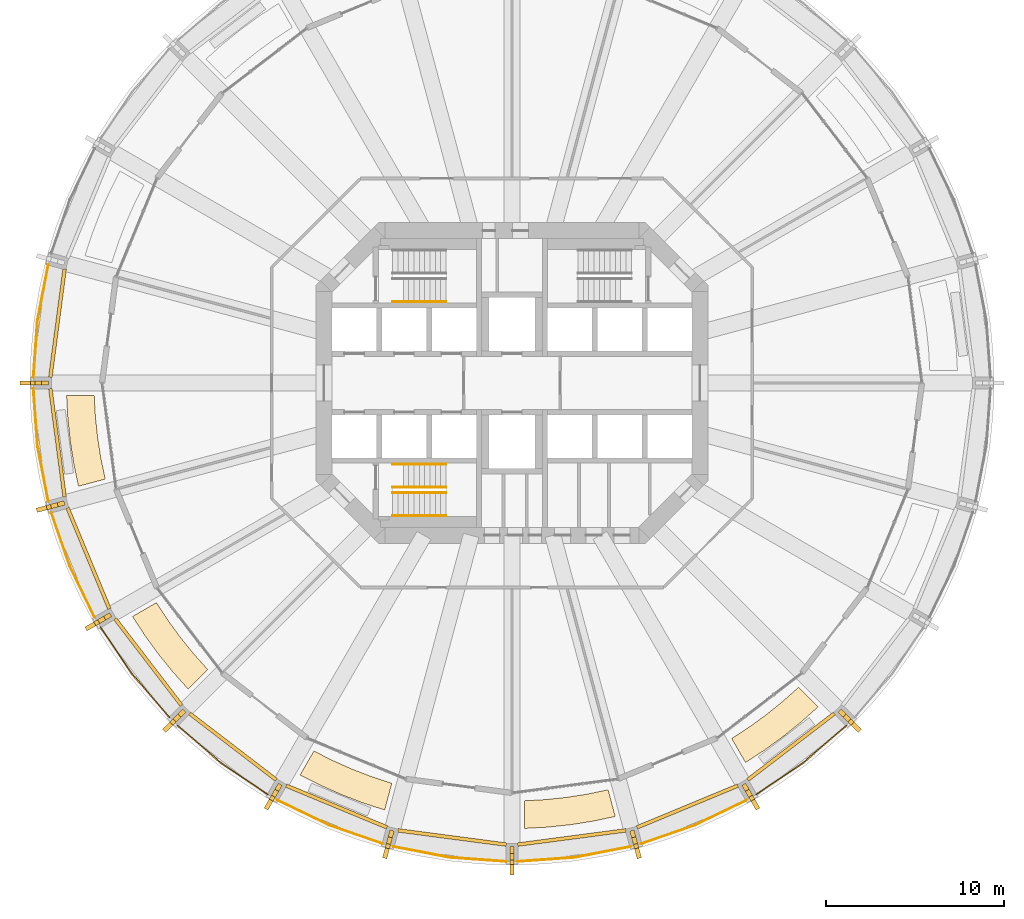
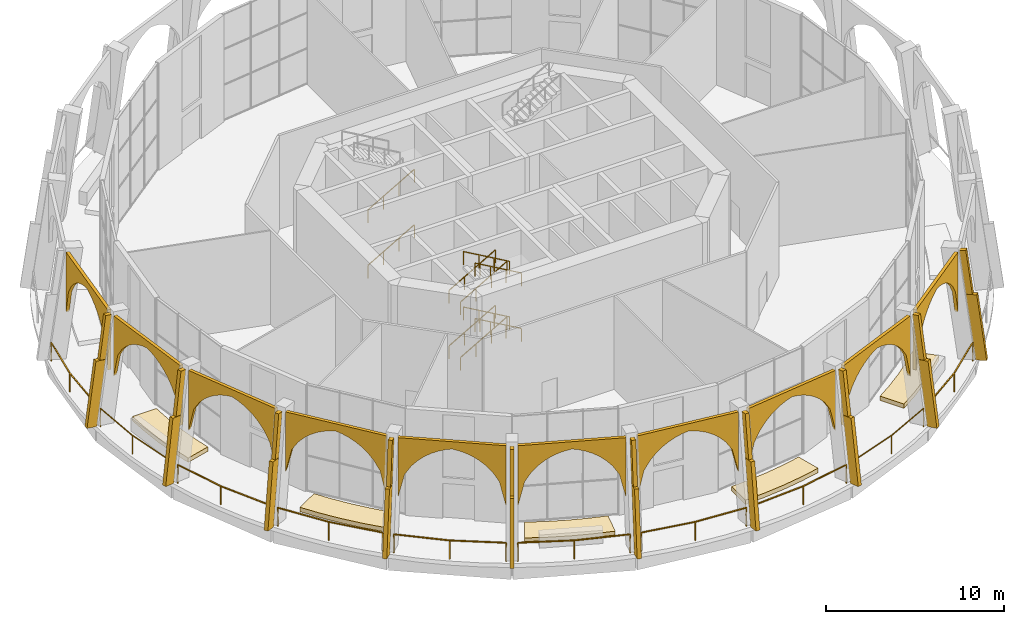
# One storey, part 17 of 19: 35 coverings, 20 railings.
"""IFC4 building model written with IfcOpenShell, lengths in metres."""

from ifc_helpers import new_model, si_unit, direction, frame, origin, origin_2d, place, context, subcontext, project, spatial, polyline, rectangle, outline, extrude, material, layer, layer_set, material_profile, profile_set, type_object, element, save


model = new_model("IFC4")

# Units and contexts
model_context = context("Model", 3, precision=1e-05, world=origin(), true_north=direction((0.0, 1.0)))
body_context = subcontext(model_context, "Body", "Model", "MODEL_VIEW")
ifc_project = project(units=[si_unit("LENGTHUNIT", "METRE"), si_unit("AREAUNIT", "SQUARE_METRE"), si_unit("VOLUMEUNIT", "CUBIC_METRE"), si_unit("PLANEANGLEUNIT", "RADIAN"), si_unit("MASSUNIT", "GRAM", prefix="KILO")], contexts=[model_context])

# Site, building, storey
site_placement = place(None, origin())
site = spatial("IfcSite", under=ifc_project, at=site_placement, CompositionType="ELEMENT")
building_placement = place(site_placement, origin())
building = spatial("IfcBuilding", under=site, at=building_placement, Name="Torre Triforio", CompositionType="ELEMENT")
storey_placement = place(building_placement, frame((0.0, 0.0, 79.0)))
storey = spatial("IfcBuildingStorey", under=building, at=storey_placement, Name="L17", CompositionType="ELEMENT", Elevation=79.0)

# Railings
ifc_material_1 = material(Name="Stainless steel AISI 316", Category="steel")
railing_type_1 = type_object("IfcRailingType", Name="HANDRAIL 920", PredefinedType="HANDRAIL", material=ifc_material_1)
for number, where, name in (
    (1, (-6.699951171875, 4.550048828125, 0.172607421875), "Handrail ST1"),
    (2, (-6.699951171875, 4.550048828125, 3.97265625), "Handrail ST1"),
    (3, (-6.699951171875, -4.550048828125, 0.172607421875), "Handrail ST3"),
    (4, (-6.699951171875, -5.85009765625, 0.172607421875), "Handrail ST3"),
):
    element("IfcRailing", number, at=place(storey_placement, frame(where)), inside=storey, type_object=railing_type_1, Name=name, PredefinedType="HANDRAIL", context=body_context, shape_type="SweptSolid", body=[
        extrude(rectangle(XDim=0.048095703125, YDim=0.048095703125, at=origin_2d()), frame((0.0, 0.0, 0.89599609375), z_axis=(0.866619684472, 0.0, 0.498969260062), x_axis=(0.0, 1.0, 0.0)), (0.0, 0.0, 1.0), 3.461669921875),
        extrude(rectangle(XDim=0.0419921875, YDim=0.0419921875, at=origin_2d()), origin(), (0.0, 0.0, 1.0), 0.871826171875),
        extrude(rectangle(XDim=0.0419921875, YDim=0.0419921875, at=origin_2d()), frame((1.0, 0.0, 0.57568359375)), (0.0, 0.0, 1.0), 0.871826171875),
        extrude(rectangle(XDim=0.0419921875, YDim=0.0419921875, at=origin_2d()), frame((2.0, 0.0, 1.151611328125)), (0.0, 0.0, 1.0), 0.871826171875),
        extrude(rectangle(XDim=0.0419921875, YDim=0.0419921875, at=origin_2d()), frame((3.0, 0.0, 1.727294921875)), (0.0, 0.0, 1.0), 0.871826171875),
    ])
for number, where, name in (
    (5, (-3.699951171875, -7.449951171875, 2.07275390625), "Handrail ST3"),
    (6, (-3.699951171875, -6.14990234375, 2.07275390625), "Handrail ST3"),
):
    element("IfcRailing", number, at=place(storey_placement, frame(where)), inside=storey, type_object=railing_type_1, Name=name, PredefinedType="HANDRAIL", context=body_context, shape_type="SweptSolid", body=[
        extrude(rectangle(XDim=0.048095703125, YDim=0.048095703125, at=origin_2d()), frame((0.0, 0.0, 0.89599609375), z_axis=(-0.866619684472, 0.0, 0.498969260062), x_axis=(0.0, -1.0, 0.0)), (0.0, 0.0, 1.0), 3.461669921875),
        extrude(rectangle(XDim=0.0419921875, YDim=0.0419921875, at=origin_2d()), origin(), (0.0, 0.0, 1.0), 0.871826171875),
        extrude(rectangle(XDim=0.0419921875, YDim=0.0419921875, at=origin_2d()), frame((-1.0, 0.0, 0.57568359375)), (0.0, 0.0, 1.0), 0.871826171875),
        extrude(rectangle(XDim=0.0419921875, YDim=0.0419921875, at=origin_2d()), frame((-2.0, 0.0, 1.151611328125)), (0.0, 0.0, 1.0), 0.871826171875),
        extrude(rectangle(XDim=0.0419921875, YDim=0.0419921875, at=origin_2d()), frame((-3.0, 0.0, 1.727294921875)), (0.0, 0.0, 1.0), 0.871826171875),
    ])
for number, where, name in (
    (7, (-6.699951171875, -4.550048828125, 3.97265625), "Handrail ST3"),
    (8, (-6.699951171875, -5.85009765625, 3.97265625), "Handrail ST3"),
):
    element("IfcRailing", number, at=place(storey_placement, frame(where)), inside=storey, type_object=railing_type_1, Name=name, PredefinedType="HANDRAIL", context=body_context, shape_type="SweptSolid", body=[
        extrude(rectangle(XDim=0.048095703125, YDim=0.048095703125, at=origin_2d()), frame((0.0, 0.0, 0.89599609375), z_axis=(0.866619684472, 0.0, 0.498969260062), x_axis=(0.0, 1.0, 0.0)), (0.0, 0.0, 1.0), 3.461669921875),
        extrude(rectangle(XDim=0.0419921875, YDim=0.0419921875, at=origin_2d()), origin(), (0.0, 0.0, 1.0), 0.871826171875),
        extrude(rectangle(XDim=0.0419921875, YDim=0.0419921875, at=origin_2d()), frame((1.0, 0.0, 0.57568359375)), (0.0, 0.0, 1.0), 0.871826171875),
        extrude(rectangle(XDim=0.0419921875, YDim=0.0419921875, at=origin_2d()), frame((2.0, 0.0, 1.151611328125)), (0.0, 0.0, 1.0), 0.871826171875),
        extrude(rectangle(XDim=0.0419921875, YDim=0.0419921875, at=origin_2d()), frame((3.0, 0.0, 1.727294921875)), (0.0, 0.0, 1.0), 0.871826171875),
    ])
for number, where, name in (
    (9, (-3.699951171875, -7.449951171875, 5.872802734375), "Handrail ST3"),
    (10, (-3.699951171875, -6.14990234375, 5.872802734375), "Handrail ST3"),
):
    element("IfcRailing", number, at=place(storey_placement, frame(where)), inside=storey, type_object=railing_type_1, Name=name, PredefinedType="HANDRAIL", context=body_context, shape_type="SweptSolid", body=[
        extrude(rectangle(XDim=0.048095703125, YDim=0.048095703125, at=origin_2d()), frame((0.0, 0.0, 0.89599609375), z_axis=(-0.866619684472, 0.0, 0.498969260062), x_axis=(0.0, -1.0, 0.0)), (0.0, 0.0, 1.0), 3.461669921875),
        extrude(rectangle(XDim=0.0419921875, YDim=0.0419921875, at=origin_2d()), origin(), (0.0, 0.0, 1.0), 0.871826171875),
        extrude(rectangle(XDim=0.0419921875, YDim=0.0419921875, at=origin_2d()), frame((-1.0, 0.0, 0.57568359375)), (0.0, 0.0, 1.0), 0.871826171875),
        extrude(rectangle(XDim=0.0419921875, YDim=0.0419921875, at=origin_2d()), frame((-2.0, 0.0, 1.151611328125)), (0.0, 0.0, 1.0), 0.871826171875),
        extrude(rectangle(XDim=0.0419921875, YDim=0.0419921875, at=origin_2d()), frame((-3.0, 0.0, 1.727294921875)), (0.0, 0.0, 1.0), 0.871826171875),
    ])

# Coverings
ifc_material_2 = material(Name="Limestone arch panel", Category="masonry")
ifc_layer_1 = layer(ifc_material_2, 0.199951171875)
ifc_layer_set_1 = layer_set([ifc_layer_1], Name="Limestone arch panel")
covering_type_1 = type_object("IfcCoveringType", Name="Lancet arch cladding panel 200", PredefinedType="CLADDING", material=ifc_layer_set_1)
for number, where, z_axis, x_axis, name in (
    (11, (-25.40087890625, 3.343994140625, 0.0), (-0.991450144272, 0.130486058348, 0.0), (-0.130486058348, -0.991450144272, 0.0), "Lancet arch panel L17 bay 12"),
    (12, (-25.40087890625, -3.343994140625, 0.0), (-0.991450144272, -0.130486058348, 0.0), (0.130486058348, -0.991450144272, 0.0), "Lancet arch panel L17 bay 13"),
    (13, (-23.669921875, -9.804443359375, 0.0), (-0.923689456732, -0.383141993942, 0.0), (0.383141993942, -0.923689456732, 0.0), "Lancet arch panel L17 bay 14"),
):
    element("IfcCovering", number, at=place(storey_placement, frame(where, z_axis=z_axis, x_axis=x_axis)), inside=storey, type_object=covering_type_1, Name=name, PredefinedType="CLADDING", context=body_context, shape_type="SweptSolid", body=[
        extrude(outline(polyline([(-3.0634765625, 7.320068359375), (-3.0634765625, 3.205078125), (-2.680419921875, 4.836181640625), (-2.297607421875, 5.447021484375), (-1.91455078125, 5.86962890625), (-1.53173828125, 6.18505859375), (-1.148681640625, 6.4248046875), (-0.765869140625, 6.605224609375), (-0.3828125, 6.735107421875), (0.0, 6.820068359375), (0.3828125, 6.735107421875), (0.765869140625, 6.605224609375), (1.148681640625, 6.4248046875), (1.53173828125, 6.18505859375), (1.91455078125, 5.86962890625), (2.297607421875, 5.447021484375), (2.680419921875, 4.836181640625), (3.0634765625, 3.205078125), (3.0634765625, 7.320068359375), (-3.0634765625, 7.320068359375)])), origin(), (0.0, 0.0, 1.0), 0.2001953125),
    ])
for number, where, z_axis, x_axis, name in (
    (14, (-20.325927734375, -15.5966796875, 0.0), (-0.793802879778, -0.60817512943, 0.0), (0.60817512943, -0.793802879778, 0.0), "Lancet arch panel L17 bay 15"),
    (15, (-15.5966796875, -20.325927734375, 0.0), (-0.60817512943, -0.793802879778, 0.0), (0.793802879778, -0.60817512943, 0.0), "Lancet arch panel L17 bay 16"),
):
    element("IfcCovering", number, at=place(storey_placement, frame(where, z_axis=z_axis, x_axis=x_axis)), inside=storey, type_object=covering_type_1, Name=name, PredefinedType="CLADDING", context=body_context, shape_type="SweptSolid", body=[
        extrude(outline(polyline([(-3.0634765625, 7.320068359375), (-3.0634765625, 3.205078125), (-2.680419921875, 4.836181640625), (-2.297607421875, 5.447021484375), (-1.91455078125, 5.86962890625), (-1.53173828125, 6.18505859375), (-1.148681640625, 6.4248046875), (-0.765869140625, 6.605224609375), (-0.3828125, 6.735107421875), (0.0, 6.820068359375), (0.3828125, 6.735107421875), (0.765869140625, 6.605224609375), (1.148681640625, 6.4248046875), (1.53173828125, 6.18505859375), (1.91455078125, 5.86962890625), (2.297607421875, 5.447021484375), (2.680419921875, 4.836181640625), (3.0634765625, 3.205078125), (3.0634765625, 7.320068359375), (-3.0634765625, 7.320068359375)])), origin(), (0.0, 0.0, 1.0), 0.199951171875),
    ])
for number, where, z_axis, x_axis, name in (
    (16, (-9.804443359375, -23.669921875, 0.0), (-0.383141993942, -0.923689456732, 0.0), (0.923689456732, -0.383141993942, 0.0), "Lancet arch panel L17 bay 17"),
    (17, (-3.343994140625, -25.40087890625, 0.0), (-0.130486058348, -0.991450144272, 0.0), (0.991450144272, -0.130486058348, 0.0), "Lancet arch panel L17 bay 18"),
    (18, (3.343994140625, -25.40087890625, 0.0), (0.130486058348, -0.991450144272, 0.0), (0.991450144272, 0.130486058348, 0.0), "Lancet arch panel L17 bay 19"),
    (19, (9.804443359375, -23.669921875, 0.0), (0.383141993942, -0.923689456732, 0.0), (0.923689456732, 0.383141993942, 0.0), "Lancet arch panel L17 bay 20"),
):
    element("IfcCovering", number, at=place(storey_placement, frame(where, z_axis=z_axis, x_axis=x_axis)), inside=storey, type_object=covering_type_1, Name=name, PredefinedType="CLADDING", context=body_context, shape_type="SweptSolid", body=[
        extrude(outline(polyline([(-3.0634765625, 7.320068359375), (-3.0634765625, 3.205078125), (-2.680419921875, 4.836181640625), (-2.297607421875, 5.447021484375), (-1.91455078125, 5.86962890625), (-1.53173828125, 6.18505859375), (-1.148681640625, 6.4248046875), (-0.765869140625, 6.605224609375), (-0.3828125, 6.735107421875), (0.0, 6.820068359375), (0.3828125, 6.735107421875), (0.765869140625, 6.605224609375), (1.148681640625, 6.4248046875), (1.53173828125, 6.18505859375), (1.91455078125, 5.86962890625), (2.297607421875, 5.447021484375), (2.680419921875, 4.836181640625), (3.0634765625, 3.205078125), (3.0634765625, 7.320068359375), (-3.0634765625, 7.320068359375)])), origin(), (0.0, 0.0, 1.0), 0.2001953125),
    ])
covering_1_placement = place(storey_placement, frame((15.5966796875, -20.325927734375, 0.0), z_axis=(0.60817512943, -0.793802879778, 0.0), x_axis=(0.793802879778, 0.60817512943, 0.0)))
element("IfcCovering", 20, at=covering_1_placement, inside=storey, type_object=covering_type_1, Name="Lancet arch panel L17 bay 21", PredefinedType="CLADDING", context=body_context, shape_type="SweptSolid", body=[
    extrude(outline(polyline([(-3.0634765625, 7.320068359375), (-3.0634765625, 3.205078125), (-2.680419921875, 4.836181640625), (-2.297607421875, 5.447021484375), (-1.91455078125, 5.86962890625), (-1.53173828125, 6.18505859375), (-1.148681640625, 6.4248046875), (-0.765869140625, 6.605224609375), (-0.3828125, 6.735107421875), (0.0, 6.820068359375), (0.3828125, 6.735107421875), (0.765869140625, 6.605224609375), (1.148681640625, 6.4248046875), (1.53173828125, 6.18505859375), (1.91455078125, 5.86962890625), (2.297607421875, 5.447021484375), (2.680419921875, 4.836181640625), (3.0634765625, 3.205078125), (3.0634765625, 7.320068359375), (-3.0634765625, 7.320068359375)])), origin(), (0.0, 0.0, 1.0), 0.199951171875),
])

# Railings
railing_type_2 = type_object("IfcRailingType", Name="Loggia guard 1300", PredefinedType="GUARDRAIL", material=ifc_material_1)
railing_1_placement = place(storey_placement, frame((-26.017822265625, 6.64013671875, 0.0)))
element("IfcRailing", 21, at=railing_1_placement, inside=storey, type_object=railing_type_2, Name="Loggia guard L17 bay 12", PredefinedType="GUARDRAIL", context=body_context, shape_type="SweptSolid", body=[
    extrude(rectangle(XDim=0.050048828125, YDim=0.050048828125, at=origin_2d()), frame((0.0, 0.0, 1.27490234375), z_axis=(-0.188714097365, -0.982032071501, 0.0), x_axis=(0.982032071501, -0.188714097365, 0.0)), (0.0, 0.0, 1.0), 3.19287109375),
    extrude(rectangle(XDim=0.050048828125, YDim=0.050048828125, at=origin_2d()), frame((-0.6025390625, -3.135498046875, 1.27490234375), z_axis=(-0.071953458998, -0.997407990613, 0.0), x_axis=(0.997407990613, -0.071953458998, 0.0)), (0.0, 0.0, 1.0), 3.19287109375),
    extrude(rectangle(XDim=0.0400390625, YDim=0.0400390625, at=origin_2d()), origin(), (0.0, 0.0, 1.0), 1.25),
    extrude(rectangle(XDim=0.0400390625, YDim=0.0400390625, at=origin_2d()), frame((-0.6025390625, -3.135498046875, 0.0)), (0.0, 0.0, 1.0), 1.25),
    extrude(rectangle(XDim=0.0400390625, YDim=0.0400390625, at=origin_2d()), frame((-0.832275390625, -6.320068359375, 0.0)), (0.0, 0.0, 1.0), 1.25),
])
railing_2_placement = place(storey_placement, frame((-26.85009765625, -0.320068359375, 0.0)))
element("IfcRailing", 22, at=railing_2_placement, inside=storey, type_object=railing_type_2, Name="Loggia guard L17 bay 13", PredefinedType="GUARDRAIL", context=body_context, shape_type="SweptSolid", body=[
    extrude(rectangle(XDim=0.050048828125, YDim=0.050048828125, at=origin_2d()), frame((0.0, 0.0, 1.27490234375), z_axis=(0.071953458998, -0.997407990613, 0.0), x_axis=(0.997407990613, 0.071953458998, 0.0)), (0.0, 0.0, 1.0), 3.19287109375),
    extrude(rectangle(XDim=0.050048828125, YDim=0.050048828125, at=origin_2d()), frame((0.229736328125, -3.1845703125, 1.27490234375), z_axis=(0.188714097365, -0.982032071501, 0.0), x_axis=(0.982032071501, 0.188714097365, 0.0)), (0.0, 0.0, 1.0), 3.19287109375),
    extrude(rectangle(XDim=0.0400390625, YDim=0.0400390625, at=origin_2d()), origin(), (0.0, 0.0, 1.0), 1.25),
    extrude(rectangle(XDim=0.0400390625, YDim=0.0400390625, at=origin_2d()), frame((0.229736328125, -3.1845703125, 0.0)), (0.0, 0.0, 1.0), 1.25),
    extrude(rectangle(XDim=0.0400390625, YDim=0.0400390625, at=origin_2d()), frame((0.832275390625, -6.320068359375, 0.0)), (0.0, 0.0, 1.0), 1.25),
])
railing_3_placement = place(storey_placement, frame((-25.852294921875, -7.25830078125, 0.0)))
element("IfcRailing", 23, at=railing_3_placement, inside=storey, type_object=railing_type_2, Name="Loggia guard L17 bay 14", PredefinedType="GUARDRAIL", context=body_context, shape_type="SweptSolid", body=[
    extrude(rectangle(XDim=0.050048828125, YDim=0.050048828125, at=origin_2d()), frame((0.0, 0.0, 1.27490234375), z_axis=(0.327627852034, -0.94480685358, 0.0), x_axis=(0.94480685358, 0.327627852034, 0.0)), (0.0, 0.0, 1.0), 3.193115234375),
    extrude(rectangle(XDim=0.050048828125, YDim=0.050048828125, at=origin_2d()), frame((1.046142578125, -3.016845703125, 1.27490234375), z_axis=(0.436384192305, -0.899760432952, 0.0), x_axis=(0.899760432952, 0.436384192305, 0.0)), (0.0, 0.0, 1.0), 3.19287109375),
    extrude(rectangle(XDim=0.0400390625, YDim=0.0400390625, at=origin_2d()), origin(), (0.0, 0.0, 1.0), 1.25),
    extrude(rectangle(XDim=0.0400390625, YDim=0.0400390625, at=origin_2d()), frame((1.046142578125, -3.016845703125, 0.0)), (0.0, 0.0, 1.0), 1.25),
    extrude(rectangle(XDim=0.0400390625, YDim=0.0400390625, at=origin_2d()), frame((2.439453125, -5.8896484375, 0.0)), (0.0, 0.0, 1.0), 1.25),
])
railing_4_placement = place(storey_placement, frame((-23.0927734375, -13.7021484375, 0.0)))
element("IfcRailing", 24, at=railing_4_placement, inside=storey, type_object=railing_type_2, Name="Loggia guard L17 bay 15", PredefinedType="GUARDRAIL", context=body_context, shape_type="SweptSolid", body=[
    extrude(rectangle(XDim=0.050048828125, YDim=0.050048828125, at=origin_2d()), frame((0.0, 0.0, 1.27490234375), z_axis=(0.561018896338, -0.82780299465, 0.0), x_axis=(0.82780299465, 0.561018896338, 0.0)), (0.0, 0.0, 1.0), 3.19287109375),
    extrude(rectangle(XDim=0.050048828125, YDim=0.050048828125, at=origin_2d()), frame((1.791259765625, -2.64306640625, 1.27490234375), z_axis=(0.654385993255, -0.756160678581, 0.0), x_axis=(0.756160678581, 0.654385993255, 0.0)), (0.0, 0.0, 1.0), 3.19287109375),
    extrude(rectangle(XDim=0.0400390625, YDim=0.0400390625, at=origin_2d()), origin(), (0.0, 0.0, 1.0), 1.25),
    extrude(rectangle(XDim=0.0400390625, YDim=0.0400390625, at=origin_2d()), frame((1.791259765625, -2.64306640625, 0.0)), (0.0, 0.0, 1.0), 1.25),
    extrude(rectangle(XDim=0.0400390625, YDim=0.0400390625, at=origin_2d()), frame((3.880615234375, -5.057373046875, 0.0)), (0.0, 0.0, 1.0), 1.25),
])
railing_5_placement = place(storey_placement, frame((-18.759521484375, -19.212158203125, 0.0)))
element("IfcRailing", 25, at=railing_5_placement, inside=storey, type_object=railing_type_2, Name="Loggia guard L17 bay 16", PredefinedType="GUARDRAIL", context=body_context, shape_type="SweptSolid", body=[
    extrude(rectangle(XDim=0.050048828125, YDim=0.050048828125, at=origin_2d()), frame((0.0, 0.0, 1.27490234375), z_axis=(0.756160678581, -0.654385993255, 0.0), x_axis=(0.654385993255, 0.756160678581, 0.0)), (0.0, 0.0, 1.0), 3.19287109375),
    extrude(rectangle(XDim=0.050048828125, YDim=0.050048828125, at=origin_2d()), frame((2.414306640625, -2.08935546875, 1.27490234375), z_axis=(0.82780299465, -0.561018896338, 0.0), x_axis=(0.561018896338, 0.82780299465, 0.0)), (0.0, 0.0, 1.0), 3.19287109375),
    extrude(rectangle(XDim=0.0400390625, YDim=0.0400390625, at=origin_2d()), origin(), (0.0, 0.0, 1.0), 1.25),
    extrude(rectangle(XDim=0.0400390625, YDim=0.0400390625, at=origin_2d()), frame((2.414306640625, -2.08935546875, 0.0)), (0.0, 0.0, 1.0), 1.25),
    extrude(rectangle(XDim=0.0400390625, YDim=0.0400390625, at=origin_2d()), frame((5.057373046875, -3.880615234375, 0.0)), (0.0, 0.0, 1.0), 1.25),
])
railing_6_placement = place(storey_placement, frame((-13.14794921875, -23.412841796875, 0.0)))
element("IfcRailing", 26, at=railing_6_placement, inside=storey, type_object=railing_type_2, Name="Loggia guard L17 bay 17", PredefinedType="GUARDRAIL", context=body_context, shape_type="SweptSolid", body=[
    extrude(rectangle(XDim=0.050048828125, YDim=0.050048828125, at=origin_2d()), frame((0.0, 0.0, 1.27490234375), z_axis=(0.899760432952, -0.436384192305, 0.0), x_axis=(0.436384192305, 0.899760432952, 0.0)), (0.0, 0.0, 1.0), 3.19287109375),
    extrude(rectangle(XDim=0.050048828125, YDim=0.050048828125, at=origin_2d()), frame((2.872802734375, -1.393310546875, 1.27490234375), z_axis=(0.94480685358, -0.327627852034, 0.0), x_axis=(0.327627852034, 0.94480685358, 0.0)), (0.0, 0.0, 1.0), 3.193115234375),
    extrude(rectangle(XDim=0.0400390625, YDim=0.0400390625, at=origin_2d()), origin(), (0.0, 0.0, 1.0), 1.25),
    extrude(rectangle(XDim=0.0400390625, YDim=0.0400390625, at=origin_2d()), frame((2.872802734375, -1.393310546875, 0.0)), (0.0, 0.0, 1.0), 1.25),
    extrude(rectangle(XDim=0.0400390625, YDim=0.0400390625, at=origin_2d()), frame((5.8896484375, -2.439453125, 0.0)), (0.0, 0.0, 1.0), 1.25),
])
railing_7_placement = place(storey_placement, frame((-6.64013671875, -26.017822265625, 0.0)))
element("IfcRailing", 27, at=railing_7_placement, inside=storey, type_object=railing_type_2, Name="Loggia guard L17 bay 18", PredefinedType="GUARDRAIL", context=body_context, shape_type="SweptSolid", body=[
    extrude(rectangle(XDim=0.050048828125, YDim=0.050048828125, at=origin_2d()), frame((0.0, 0.0, 1.27490234375), z_axis=(0.982032071501, -0.188714097365, 0.0), x_axis=(0.188714097365, 0.982032071501, 0.0)), (0.0, 0.0, 1.0), 3.19287109375),
    extrude(rectangle(XDim=0.050048828125, YDim=0.050048828125, at=origin_2d()), frame((3.135498046875, -0.6025390625, 1.27490234375), z_axis=(0.997407990613, -0.071953458998, 0.0), x_axis=(0.071953458998, 0.997407990613, 0.0)), (0.0, 0.0, 1.0), 3.19287109375),
    extrude(rectangle(XDim=0.0400390625, YDim=0.0400390625, at=origin_2d()), origin(), (0.0, 0.0, 1.0), 1.25),
    extrude(rectangle(XDim=0.0400390625, YDim=0.0400390625, at=origin_2d()), frame((3.135498046875, -0.6025390625, 0.0)), (0.0, 0.0, 1.0), 1.25),
    extrude(rectangle(XDim=0.0400390625, YDim=0.0400390625, at=origin_2d()), frame((6.320068359375, -0.832275390625, 0.0)), (0.0, 0.0, 1.0), 1.25),
])
railing_8_placement = place(storey_placement, frame((0.320068359375, -26.85009765625, 0.0)))
element("IfcRailing", 28, at=railing_8_placement, inside=storey, type_object=railing_type_2, Name="Loggia guard L17 bay 19", PredefinedType="GUARDRAIL", context=body_context, shape_type="SweptSolid", body=[
    extrude(rectangle(XDim=0.050048828125, YDim=0.050048828125, at=origin_2d()), frame((0.0, 0.0, 1.27490234375), z_axis=(0.997407990613, 0.071953458998, 0.0), x_axis=(-0.071953458998, 0.997407990613, 0.0)), (0.0, 0.0, 1.0), 3.19287109375),
    extrude(rectangle(XDim=0.050048828125, YDim=0.050048828125, at=origin_2d()), frame((3.1845703125, 0.229736328125, 1.27490234375), z_axis=(0.982032071501, 0.188714097365, 0.0), x_axis=(-0.188714097365, 0.982032071501, 0.0)), (0.0, 0.0, 1.0), 3.19287109375),
    extrude(rectangle(XDim=0.0400390625, YDim=0.0400390625, at=origin_2d()), origin(), (0.0, 0.0, 1.0), 1.25),
    extrude(rectangle(XDim=0.0400390625, YDim=0.0400390625, at=origin_2d()), frame((3.1845703125, 0.229736328125, 0.0)), (0.0, 0.0, 1.0), 1.25),
    extrude(rectangle(XDim=0.0400390625, YDim=0.0400390625, at=origin_2d()), frame((6.320068359375, 0.832275390625, 0.0)), (0.0, 0.0, 1.0), 1.25),
])
railing_9_placement = place(storey_placement, frame((7.25830078125, -25.852294921875, 0.0)))
element("IfcRailing", 29, at=railing_9_placement, inside=storey, type_object=railing_type_2, Name="Loggia guard L17 bay 20", PredefinedType="GUARDRAIL", context=body_context, shape_type="SweptSolid", body=[
    extrude(rectangle(XDim=0.050048828125, YDim=0.050048828125, at=origin_2d()), frame((0.0, 0.0, 1.27490234375), z_axis=(0.94480685358, 0.327627852034, 0.0), x_axis=(-0.327627852034, 0.94480685358, 0.0)), (0.0, 0.0, 1.0), 3.193115234375),
    extrude(rectangle(XDim=0.050048828125, YDim=0.050048828125, at=origin_2d()), frame((3.016845703125, 1.046142578125, 1.27490234375), z_axis=(0.899760432952, 0.436384192305, 0.0), x_axis=(-0.436384192305, 0.899760432952, 0.0)), (0.0, 0.0, 1.0), 3.19287109375),
    extrude(rectangle(XDim=0.0400390625, YDim=0.0400390625, at=origin_2d()), origin(), (0.0, 0.0, 1.0), 1.25),
    extrude(rectangle(XDim=0.0400390625, YDim=0.0400390625, at=origin_2d()), frame((3.016845703125, 1.046142578125, 0.0)), (0.0, 0.0, 1.0), 1.25),
    extrude(rectangle(XDim=0.0400390625, YDim=0.0400390625, at=origin_2d()), frame((5.8896484375, 2.439453125, 0.0)), (0.0, 0.0, 1.0), 1.25),
])
railing_10_placement = place(storey_placement, frame((13.7021484375, -23.0927734375, 0.0)))
element("IfcRailing", 30, at=railing_10_placement, inside=storey, type_object=railing_type_2, Name="Loggia guard L17 bay 21", PredefinedType="GUARDRAIL", context=body_context, shape_type="SweptSolid", body=[
    extrude(rectangle(XDim=0.050048828125, YDim=0.050048828125, at=origin_2d()), frame((0.0, 0.0, 1.27490234375), z_axis=(0.82780299465, 0.561018896338, 0.0), x_axis=(-0.561018896338, 0.82780299465, 0.0)), (0.0, 0.0, 1.0), 3.19287109375),
    extrude(rectangle(XDim=0.050048828125, YDim=0.050048828125, at=origin_2d()), frame((2.64306640625, 1.791259765625, 1.27490234375), z_axis=(0.756160678581, 0.654385993255, 0.0), x_axis=(-0.654385993255, 0.756160678581, 0.0)), (0.0, 0.0, 1.0), 3.19287109375),
    extrude(rectangle(XDim=0.0400390625, YDim=0.0400390625, at=origin_2d()), origin(), (0.0, 0.0, 1.0), 1.25),
    extrude(rectangle(XDim=0.0400390625, YDim=0.0400390625, at=origin_2d()), frame((2.64306640625, 1.791259765625, 0.0)), (0.0, 0.0, 1.0), 1.25),
    extrude(rectangle(XDim=0.0400390625, YDim=0.0400390625, at=origin_2d()), frame((5.057373046875, 3.880615234375, 0.0)), (0.0, 0.0, 1.0), 1.25),
])

# Coverings
ifc_material_3 = material(Name="Planted topsoil bed")
ifc_layer_2 = layer(ifc_material_3, 0.300048828125)
ifc_layer_set_2 = layer_set([ifc_layer_2], Name="Planted topsoil bed")
covering_type_2 = type_object("IfcCoveringType", Name="Planted bed 300", PredefinedType="FLOORING", material=ifc_layer_set_2)
covering_2_placement = place(storey_placement, origin())
element("IfcCovering", 31, at=covering_2_placement, inside=storey, type_object=covering_type_2, Name="Sky garden L17 planted bed 13", PredefinedType="FLOORING", context=body_context, shape_type="SweptSolid", body=[
    extrude(outline(polyline([(-23.439697265625, -0.69970703125), (-23.374267578125, -1.8828125), (-23.24951171875, -3.060791015625), (-23.065185546875, -4.231201171875), (-22.822021484375, -5.390869140625), (-24.31982421875, -5.7919921875), (-24.58544921875, -4.53369140625), (-24.7861328125, -3.26318359375), (-24.921142578125, -1.984130859375), (-24.990234375, -0.69970703125), (-23.439697265625, -0.69970703125)])), origin(), (0.0, 0.0, 1.0), 0.300048828125),
])
covering_3_placement = place(storey_placement, origin())
element("IfcCovering", 32, at=covering_3_placement, inside=storey, type_object=covering_type_2, Name="Sky garden L17 planted bed 15", PredefinedType="FLOORING", context=body_context, shape_type="SweptSolid", body=[
    extrude(outline(polyline([(-19.949462890625, -12.32568359375), (-19.301513671875, -13.317626953125), (-18.60400390625, -14.275390625), (-17.859375, -15.197021484375), (-17.069091796875, -16.07958984375), (-18.16552734375, -17.176025390625), (-19.02490234375, -16.218994140625), (-19.833740234375, -15.218994140625), (-20.59033203125, -14.1787109375), (-21.292236328125, -13.10107421875), (-19.949462890625, -12.32568359375)])), origin(), (0.0, 0.0, 1.0), 0.300048828125),
])
covering_4_placement = place(storey_placement, origin())
element("IfcCovering", 33, at=covering_4_placement, inside=storey, type_object=covering_type_2, Name="Sky garden L17 planted bed 17", PredefinedType="FLOORING", context=body_context, shape_type="SweptSolid", body=[
    extrude(outline(polyline([(-11.11376953125, -20.649169921875), (-10.056640625, -21.18408203125), (-8.973876953125, -21.6650390625), (-7.8681640625, -22.090576171875), (-6.742431640625, -22.459716796875), (-7.143798828125, -23.95751953125), (-8.366455078125, -23.55859375), (-9.567138671875, -23.096923828125), (-10.7421875, -22.574462890625), (-11.88916015625, -21.991943359375), (-11.11376953125, -20.649169921875)])), origin(), (0.0, 0.0, 1.0), 0.300048828125),
])
covering_5_placement = place(storey_placement, origin())
element("IfcCovering", 34, at=covering_5_placement, inside=storey, type_object=covering_type_2, Name="Sky garden L17 planted bed 19", PredefinedType="FLOORING", context=body_context, shape_type="SweptSolid", body=[
    extrude(outline(polyline([(0.69970703125, -23.439697265625), (1.8828125, -23.374267578125), (3.060791015625, -23.24951171875), (4.231201171875, -23.065185546875), (5.390869140625, -22.822021484375), (5.7919921875, -24.31982421875), (4.53369140625, -24.58544921875), (3.26318359375, -24.7861328125), (1.984130859375, -24.921142578125), (0.69970703125, -24.990234375), (0.69970703125, -23.439697265625)])), origin(), (0.0, 0.0, 1.0), 0.300048828125),
])
covering_6_placement = place(storey_placement, origin())
element("IfcCovering", 35, at=covering_6_placement, inside=storey, type_object=covering_type_2, Name="Sky garden L17 planted bed 21", PredefinedType="FLOORING", context=body_context, shape_type="SweptSolid", body=[
    extrude(outline(polyline([(12.32568359375, -19.949462890625), (13.317626953125, -19.301513671875), (14.275390625, -18.60400390625), (15.197021484375, -17.859375), (16.07958984375, -17.069091796875), (17.176025390625, -18.16552734375), (16.218994140625, -19.02490234375), (15.218994140625, -19.833740234375), (14.1787109375, -20.59033203125), (13.10107421875, -21.292236328125), (12.32568359375, -19.949462890625)])), origin(), (0.0, 0.0, 1.0), 0.300048828125),
])
ifc_material_4 = material(Name="Limestone fin", Category="masonry")
ifc_material_profile_1 = material_profile(ifc_material_4, rectangle(XDim=0.39990234375, YDim=0.25, at=origin_2d()), Name="FIN 400x250")
ifc_profile_set_1 = profile_set([ifc_material_profile_1], Name="Limestone fin")
covering_type_3 = type_object("IfcCoveringType", Name="Stone fin 400 x 250", PredefinedType="CLADDING", material=ifc_profile_set_1)
for number, where, z_axis, x_axis, name in (
    (36, (-26.57763671875, 0.0, 4.39208984375), (0.130452374083, 0.0, 0.99145457692), (-0.99145457692, 0.0, 0.130452374083), "Stone fin C13 L17 upper"),
    (37, (-25.672119140625, -6.87890625, 4.39208984375), (0.125988322127, 0.033811826608, 0.991455345978), (-0.957570864101, -0.256985881507, 0.130446529011), "Stone fin C14 L17 upper"),
    (38, (-23.01708984375, -13.288818359375, 4.39208984375), (0.113008687722, 0.065225936074, 0.991450762147), (-0.858686225462, -0.495613337154, 0.130481363564), "Stone fin C15 L17 upper"),
    (39, (-18.793212890625, -18.793212890625, 4.39208984375), (0.09217756867, 0.09217756867, 0.991466888841), (-0.701072960421, -0.701072960421, 0.13035876776), "Stone fin C16 L17 upper"),
    (40, (-13.288818359375, -23.01708984375, 4.39208984375), (0.065225936074, 0.113008687722, 0.991450762147), (-0.495613337154, -0.858686225462, 0.130481363564), "Stone fin C17 L17 upper"),
    (41, (-6.87890625, -25.672119140625, 4.39208984375), (0.033811826608, 0.125988322127, 0.991455345978), (-0.256985881507, -0.957570864101, 0.130446529011), "Stone fin C18 L17 upper"),
    (42, (0.0, -26.57763671875, 4.39208984375), (0.0, 0.130452374083, 0.99145457692), (0.0, -0.99145457692, 0.130452374083), "Stone fin C19 L17 upper"),
    (43, (6.87890625, -25.672119140625, 4.39208984375), (-0.033811826608, 0.125988322127, 0.991455345978), (0.256985881507, -0.957570864101, 0.130446529011), "Stone fin C20 L17 upper"),
    (44, (13.288818359375, -23.01708984375, 4.39208984375), (-0.065225936074, 0.113008687722, 0.991450762147), (0.495613337154, -0.858686225462, 0.130481363564), "Stone fin C21 L17 upper"),
    (45, (18.793212890625, -18.793212890625, 4.39208984375), (-0.09217756867, 0.09217756867, 0.991466888841), (0.701072960421, -0.701072960421, 0.13035876776), "Stone fin C22 L17 upper"),
):
    element("IfcCovering", number, at=place(storey_placement, frame(where, z_axis=z_axis, x_axis=x_axis)), inside=storey, type_object=covering_type_3, Name=name, PredefinedType="CLADDING", context=body_context, shape_type="SweptSolid", body=[
        extrude(rectangle(XDim=0.39990234375, YDim=0.25, at=origin_2d()), origin(), (0.0, 0.0, 1.0), 2.953125),
    ])
ifc_material_profile_2 = material_profile(ifc_material_4, rectangle(XDim=0.64990234375, YDim=0.25, at=origin_2d()), Name="FIN 650x250")
ifc_profile_set_2 = profile_set([ifc_material_profile_2], Name="Limestone fin")
covering_type_4 = type_object("IfcCoveringType", Name="Stone fin 650 x 250", PredefinedType="CLADDING", material=ifc_profile_set_2)
for number, where, z_axis, x_axis, name in (
    (46, (-27.28173828125, 0.0, 0.0), (0.130448810091, 0.0, 0.991455045852), (-0.991455045852, 0.0, 0.130448810091), "Stone fin C13 L17"),
    (47, (-26.35205078125, -7.06103515625, 0.0), (0.125984997419, 0.033783378573, 0.991456738218), (-0.957624624029, -0.256790855, 0.130435946895), "Stone fin C14 L17"),
    (48, (-23.626708984375, -13.640869140625, 0.0), (0.112978193366, 0.065251795583, 0.991452535927), (-0.858544739658, -0.495861937441, 0.130467884949), "Stone fin C15 L17"),
    (49, (-19.291015625, -19.291015625, 0.0), (0.092256311903, 0.092256311903, 0.991452240821), (-0.701062602707, -0.701062602707, 0.130470127508), "Stone fin C16 L17"),
    (50, (-13.640869140625, -23.626708984375, 0.0), (0.065251795583, 0.112978193366, 0.991452535927), (-0.495861937441, -0.858544739658, 0.130467884949), "Stone fin C17 L17"),
    (51, (-7.06103515625, -26.35205078125, 0.0), (0.033783378573, 0.125984997419, 0.991456738218), (-0.256790855, -0.957624624029, 0.130435946895), "Stone fin C18 L17"),
    (52, (0.0, -27.28173828125, 0.0), (0.0, 0.130448810091, 0.991455045852), (0.0, -0.991455045852, 0.130448810091), "Stone fin C19 L17"),
    (53, (7.06103515625, -26.35205078125, 0.0), (-0.033783378573, 0.125984997419, 0.991456738218), (0.256790855, -0.957624624029, 0.130435946895), "Stone fin C20 L17"),
    (54, (13.640869140625, -23.626708984375, 0.0), (-0.065251795583, 0.112978193366, 0.991452535927), (0.495861937441, -0.858544739658, 0.130467884949), "Stone fin C21 L17"),
    (55, (19.291015625, -19.291015625, 0.0), (-0.092256311903, 0.092256311903, 0.991452240821), (0.701062602707, -0.701062602707, 0.130470127508), "Stone fin C22 L17"),
):
    element("IfcCovering", number, at=place(storey_placement, frame(where, z_axis=z_axis, x_axis=x_axis)), inside=storey, type_object=covering_type_4, Name=name, PredefinedType="CLADDING", context=body_context, shape_type="SweptSolid", body=[
        extrude(rectangle(XDim=0.64990234375, YDim=0.25, at=origin_2d()), origin(), (0.0, 0.0, 1.0), 4.429931640625),
    ])

save(model, "model.ifc")
